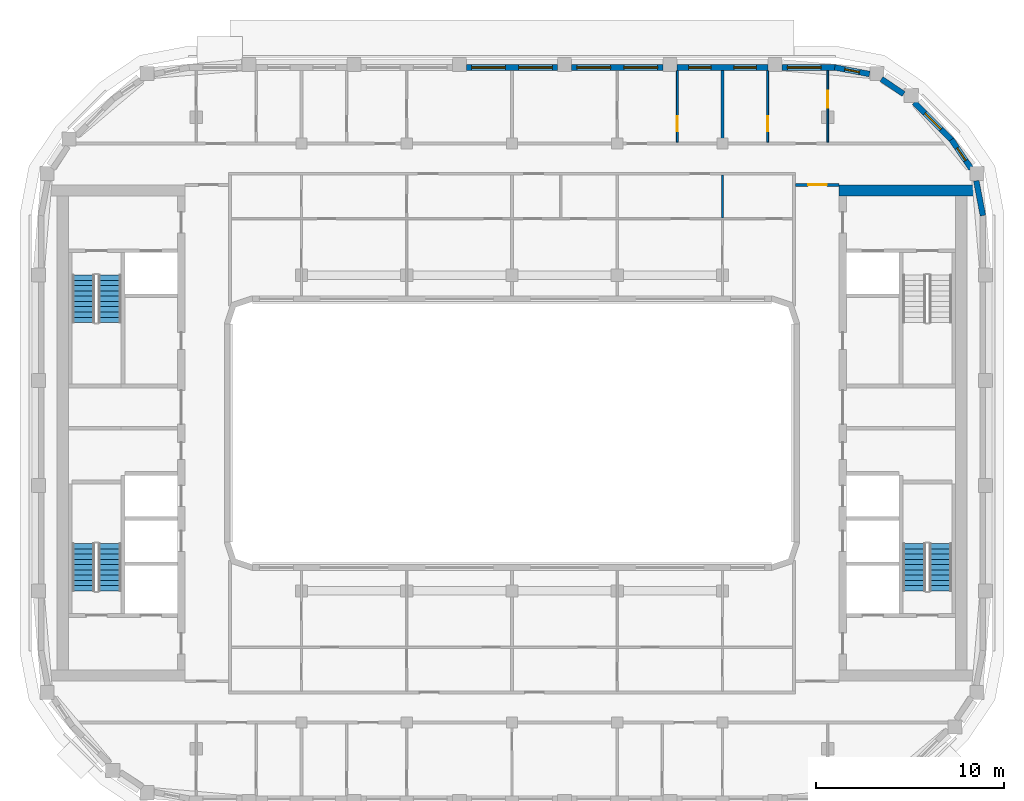
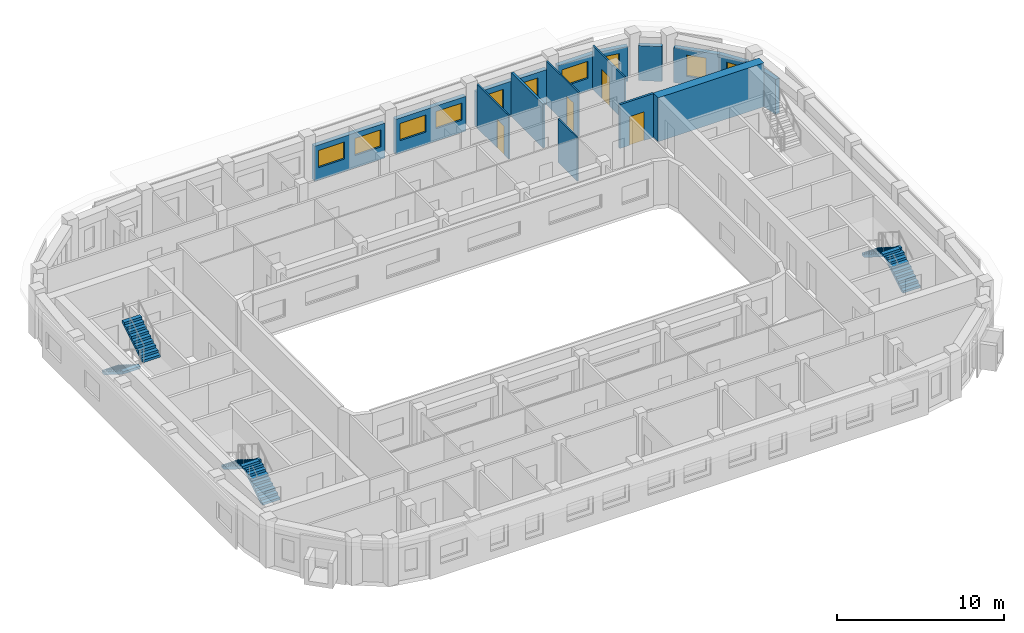
# One storey, part 8 of 16: 16 walls, 10 windows, 6 stair flights, 4 doors, 14 openings, 3 elements without a shape of their own.
"""IFC4 building model written with IfcOpenShell, lengths in metres."""

import ifcopenshell
import ifcopenshell.guid

model = None  # the IFC model being written
_history = None  # IfcOwnerHistory: only IFC2X3 demands one
_inside = {}  # id of a spatial element -> (the spatial element, [elements in it])
_under = {}  # id of a project, library or spatial element -> (it, [spatial elements below it])
_declared = {}  # id of a project -> (the project, [libraries it declares])
_typed = {}  # id of a type object -> (the type object, [elements of that type])
_made_of = {}  # id of a material, layer set ... -> (it, [elements and type objects made of it])


def new_model(schema):
    """Start an empty IFC model of exactly this schema.

    Asked for "IFC4X3", IfcOpenShell would pick the latest addendum, in which some entities
    have other attributes; the version numbers below select the first issue.
    IFC2X3 requires an IfcOwnerHistory on every rooted entity: one is made here for all.
    """
    global model, _history
    if schema == "IFC4X3":
        model = ifcopenshell.file(schema_version=(4, 3, 0, 0))
    else:
        model = ifcopenshell.file(schema=schema)
    _inside.clear()
    _under.clear()
    _declared.clear()
    _typed.clear()
    _made_of.clear()
    _history = None
    if model.schema == "IFC2X3":
        org = make("IfcOrganization", Name="unknown")
        user = make(
            "IfcPersonAndOrganization",
            ThePerson=make("IfcPerson", FamilyName="unknown"),
            TheOrganization=org,
        )
        app = make(
            "IfcApplication",
            ApplicationDeveloper=org,
            Version="unknown",
            ApplicationFullName="unknown",
            ApplicationIdentifier="unknown",
        )
        _history = make(
            "IfcOwnerHistory",
            OwningUser=user,
            OwningApplication=app,
            ChangeAction="ADDED",
            CreationDate=0,
        )
    return model


def make(cls, **values):
    """One entity of the class cls with the attributes given. An attribute that is None is left unset."""
    return model.create_entity(
        cls, **{name: value for name, value in values.items() if value is not None}
    )


def rooted(cls, **values):
    """An entity with a GlobalId (a new one), such as an element, a storey or a relation."""
    return make(cls, GlobalId=ifcopenshell.guid.new(), OwnerHistory=_history, **values)


def si_unit(unit_type, name, prefix=None):
    """IfcSIUnit, for example si_unit("LENGTHUNIT", "METRE", prefix="MILLI")."""
    return make("IfcSIUnit", UnitType=unit_type, Prefix=prefix, Name=name)


def assignment(units):
    """IfcUnitAssignment: the units of a project."""
    return None if units is None else make("IfcUnitAssignment", Units=units)


def point(xyz):
    """IfcCartesianPoint."""
    return None if xyz is None else make("IfcCartesianPoint", Coordinates=xyz)


def direction(xyz):
    """IfcDirection."""
    return None if xyz is None else make("IfcDirection", DirectionRatios=xyz)


def frame(location, z_axis=None, x_axis=None):
    """IfcAxis2Placement3D, a coordinate frame: its origin and axes. An axis left out is left unset."""
    return make(
        "IfcAxis2Placement3D",
        Location=point(location),
        Axis=direction(z_axis),
        RefDirection=direction(x_axis),
    )


def frame_2d(location, x_axis=None):
    """IfcAxis2Placement2D, a coordinate frame in the plane: its origin and x axis."""
    return make(
        "IfcAxis2Placement2D", Location=point(location), RefDirection=direction(x_axis)
    )


def origin():
    """The frame at (0, 0, 0) with its axes left unset."""
    return frame((0.0, 0.0, 0.0))


def place(relative_to, where):
    """IfcLocalPlacement: puts the frame where relative to a parent placement (None: the world)."""
    return make(
        "IfcLocalPlacement", PlacementRelTo=relative_to, RelativePlacement=where
    )


def context(
    kind, dimensions, precision=None, world=None, true_north=None, identifier=None
):
    """IfcGeometricRepresentationContext, for example the 3D "Model" context."""
    return make(
        "IfcGeometricRepresentationContext",
        ContextIdentifier=identifier,
        ContextType=kind,
        CoordinateSpaceDimension=dimensions,
        Precision=precision,
        WorldCoordinateSystem=world,
        TrueNorth=true_north,
    )


def subcontext(parent, identifier, kind, view, scale=None):
    """IfcGeometricRepresentationSubContext, for example "Body" below "Model"."""
    return make(
        "IfcGeometricRepresentationSubContext",
        ContextIdentifier=identifier,
        ContextType=kind,
        ParentContext=parent,
        TargetScale=scale,
        TargetView=view,
    )


def project(units=None, contexts=None):
    """IfcProject with its units and contexts."""
    return rooted(
        "IfcProject",
        Name="project",
        RepresentationContexts=contexts,
        UnitsInContext=assignment(units),
    )


def spatial(cls, under=None, at=None, **own):
    """A site, building, storey or space (cls), placed at a placement, below another one or the project."""
    s = rooted(cls, ObjectPlacement=at, **own)
    if under is not None:
        _under.setdefault(under.id(), (under, []))[1].append(s)
    return s


def polyline(points):
    """IfcPolyline through the points."""
    return make("IfcPolyline", Points=[point(p) for p in points])


def profile(cls, at=None, kind="AREA", **sizes):
    """A parametric profile (cls). Its sizes go by their IFC names, for example OverallWidth=200.0."""
    return make(cls, ProfileType=kind, Position=at, **sizes)


def rectangle(**sizes):
    """IfcRectangleProfileDef."""
    return profile("IfcRectangleProfileDef", **sizes)


def outline(outer, holes=None, kind="AREA"):
    """IfcArbitraryClosedProfileDef: a profile drawn as a closed curve; with holes, ...WithVoids."""
    if holes is None:
        return make("IfcArbitraryClosedProfileDef", ProfileType=kind, OuterCurve=outer)
    return make(
        "IfcArbitraryProfileDefWithVoids",
        ProfileType=kind,
        OuterCurve=outer,
        InnerCurves=holes,
    )


def extrude(swept, where, along, depth):
    """IfcExtrudedAreaSolid: the profile swept, set in the frame where, extruded along a direction by depth."""
    return make(
        "IfcExtrudedAreaSolid",
        SweptArea=swept,
        Position=where,
        ExtrudedDirection=direction(along),
        Depth=depth,
    )


def shape(context_of_items, identifier, shape_type, items):
    """IfcShapeRepresentation: the items that make up one representation, for example the "Body"."""
    return make(
        "IfcShapeRepresentation",
        ContextOfItems=context_of_items,
        RepresentationIdentifier=identifier,
        RepresentationType=shape_type,
        Items=items,
    )


def material(Name=None, Category=None):
    """IfcMaterial."""
    return make("IfcMaterial", Name=Name, Category=Category)


def layer(
    of_material, thickness, ventilated=None, Name=None, Category=None, Priority=None
):
    """IfcMaterialLayer: one layer of a wall or slab, of a material (None: an air gap)."""
    return make(
        "IfcMaterialLayer",
        Material=of_material,
        LayerThickness=thickness,
        IsVentilated=ventilated,
        Name=Name,
        Category=Category,
        Priority=Priority,
    )


def layer_set(layers, Name=None):
    """IfcMaterialLayerSet."""
    return make("IfcMaterialLayerSet", MaterialLayers=layers, LayerSetName=Name)


def made_of(thing, what):
    """Note that an element or type object is made of a material, layer set ...; save() writes the relation."""
    if what is not None:
        _made_of.setdefault(what.id(), (what, []))[1].append(thing)
    return thing


def type_object(cls, material=None, **own):
    """A type object (cls), such as IfcWallType, which elements share."""
    return made_of(rooted(cls, **own), material)


def element(
    cls,
    number,
    at=None,
    inside=None,
    cuts=None,
    type_object=None,
    material=None,
    context=None,
    identifier="Body",
    shape_type=None,
    held_by="IfcProductDefinitionShape",
    body=None,
    shapes=None,
    **own,
):
    """One element of the class cls, such as IfcWall. Its Tag is "e" and its number.

    at: its placement. inside: the storey or other place that contains it. cuts: it is an
    opening in that element (IfcRelVoidsElement). A single representation is given by context,
    identifier, shape_type and body (its items); several are given by shapes. held_by: the class
    of the entity that holds the representations. save() writes the other relations.
    """
    e = rooted(cls, Tag="e%d" % number, ObjectPlacement=at, **own)
    if body is not None:
        shapes = [shape(context, identifier, shape_type, body)]
    if shapes is not None:
        e.Representation = make(held_by, Representations=shapes)
    if inside is not None:
        _inside.setdefault(inside.id(), (inside, []))[1].append(e)
    if cuts is not None:
        rooted(
            "IfcRelVoidsElement", RelatingBuildingElement=cuts, RelatedOpeningElement=e
        )
    if type_object is not None:
        _typed.setdefault(type_object.id(), (type_object, []))[1].append(e)
    return made_of(e, material)


def fill(opening, filler):
    """IfcRelFillsElement: the door or window that sits in an opening."""
    return rooted(
        "IfcRelFillsElement",
        RelatingOpeningElement=opening,
        RelatedBuildingElement=filler,
    )


def aggregate(whole, parts):
    """IfcRelAggregates: a whole, such as a stair, and the parts it consists of."""
    return rooted("IfcRelAggregates", RelatingObject=whole, RelatedObjects=parts)


def save(model, path):
    """Write the relations noted so far, then the file.

    IfcRelAggregates (storeys below a building ...), IfcRelContainedInSpatialStructure (elements
    in a storey), IfcRelDefinesByType, IfcRelAssociatesMaterial and IfcRelDeclares: one each for
    every whole, place, type object, material and project.
    """
    for whole, parts in _under.values():
        aggregate(whole, parts)
    for where, things in _inside.values():
        rooted(
            "IfcRelContainedInSpatialStructure",
            RelatedElements=things,
            RelatingStructure=where,
        )
    for kind, things in _typed.values():
        rooted("IfcRelDefinesByType", RelatedObjects=things, RelatingType=kind)
    for what, things in _made_of.values():
        rooted("IfcRelAssociatesMaterial", RelatedObjects=things, RelatingMaterial=what)
    for by, libraries in _declared.values():
        rooted("IfcRelDeclares", RelatingContext=by, RelatedDefinitions=libraries)
    model.write(path)


model = new_model("IFC4")

# Units and contexts
model_context = context("Model", 3, precision=1e-05, world=origin(), true_north=direction((0.0, 1.0)))
body_context = subcontext(model_context, "Body", "Model", "MODEL_VIEW")
ifc_project = project(units=[si_unit("LENGTHUNIT", "METRE"), si_unit("AREAUNIT", "SQUARE_METRE"), si_unit("VOLUMEUNIT", "CUBIC_METRE"), si_unit("PLANEANGLEUNIT", "RADIAN"), si_unit("MASSUNIT", "GRAM", prefix="KILO")], contexts=[model_context])

# Site, building, storey
site_placement = place(None, origin())
site = spatial("IfcSite", under=ifc_project, at=site_placement, CompositionType="ELEMENT")
building_placement = place(site_placement, origin())
building = spatial("IfcBuilding", under=site, at=building_placement, Name="Kiln Ring Residences", CompositionType="ELEMENT")
storey_placement = place(building_placement, frame((0.0, 0.0, 269.699951171875)))
storey = spatial("IfcBuildingStorey", under=building, at=storey_placement, Name="L70", CompositionType="ELEMENT", Elevation=269.699951171875)

# Walls
ifc_material_1 = material(Name="Concrete C60/75", Category="concrete")
ifc_layer_1 = layer(ifc_material_1, 0.60009765625)
ifc_layer_set_1 = layer_set([ifc_layer_1], Name="CORE-WALL-RC600")
wall_type_1 = type_object("IfcWallType", Name="CORE-WALL-RC600", PredefinedType="SHEAR", material=ifc_layer_set_1)
wall_1_placement = place(storey_placement, frame((17.39990234375, 12.89990234375, 0.0), z_axis=(0.0, 0.0, 1.0), x_axis=(1.0, 0.0, 0.0)))
element("IfcWall", 1, at=wall_1_placement, inside=storey, type_object=wall_type_1, Name="Core wall east L70 4", PredefinedType="SHEAR", context=body_context, shape_type="SweptSolid", body=[
    extrude(rectangle(XDim=7.320068359375, YDim=0.60009765625, at=frame_2d((3.66015625, 0.0))), origin(), (0.0, 0.0, 1.0), 3.199951171875),
])
ifc_material_2 = material(Name="Brick masonry, dark clay brick", Category="masonry")
ifc_layer_2 = layer(ifc_material_2, 0.300048828125)
ifc_layer_set_2 = layer_set([ifc_layer_2], Name="EW-300 BRICK WALL")
wall_type_2 = type_object("IfcWallType", Name="EW-300 BRICK WALL", PredefinedType="SOLIDWALL", material=ifc_layer_set_2)
wall_2_placement = place(storey_placement, frame((25.052734375, 11.57177734375, 0.0), z_axis=(0.0, 0.0, 1.0), x_axis=(-0.187398348234, 0.982284001233, 0.0)))
element("IfcWall", 2, at=wall_2_placement, inside=storey, type_object=wall_type_2, Name="Facade wall L70 21", PredefinedType="SOLIDWALL", context=body_context, shape_type="SweptSolid", body=[
    extrude(rectangle(XDim=1.88134765625, YDim=0.300048828125, at=frame_2d((0.940673828125, 0.0))), origin(), (0.0, 0.0, 1.0), 2.550048828125),
])

# Wall, opening, window
wall_3_placement = place(storey_placement, frame((24.436279296875, 14.056884765625, 0.0), z_axis=(0.0, 0.0, 1.0), x_axis=(-0.562075713892, 0.827085782645, 0.0)))
wall_3 = element("IfcWall", 3, at=wall_3_placement, inside=storey, type_object=wall_type_2, Name="Facade wall L70 22", PredefinedType="SOLIDWALL", context=body_context, shape_type="SweptSolid", body=[
    extrude(rectangle(XDim=1.881103515625, YDim=0.300048828125, at=frame_2d((0.9404296875, 0.0))), origin(), (0.0, 0.0, 1.0), 2.550048828125),
])
opening_1_placement = place(wall_3_placement, frame((0.54052734375, 0.0, 0.60009765625)))
opening_1 = element("IfcOpeningElement", 4, at=opening_1_placement, cuts=wall_3, Name="Opening W5", PredefinedType="OPENING", context=body_context, shape_type="SweptSolid", body=[
    extrude(rectangle(XDim=0.800048828125, YDim=1.550048828125, at=frame_2d((0.39990234375, 0.77490234375))), frame((0.0, 0.159912109375, 0.0), z_axis=(0.0, -1.0, 0.0), x_axis=(1.0, 0.0, 0.0)), (0.0, 0.0, 1.0), 0.320068359375),
])
ifc_material_3 = material(Name="Aluminium frame with double glazing", Category="aluminium")
window_type_1 = type_object("IfcWindowType", Name="WINDOW 800 x 1550", PartitioningType="SINGLE_PANEL", PredefinedType="WINDOW", material=ifc_material_3)
window_1_placement = place(opening_1_placement, origin())
window_1 = element("IfcWindow", 5, at=window_1_placement, inside=storey, type_object=window_type_1, Name="Window L70 18", OverallHeight=1.550048828125, OverallWidth=0.800048828125, PartitioningType="SINGLE_PANEL", PredefinedType="WINDOW", context=body_context, shape_type="SweptSolid", body=[
    extrude(rectangle(XDim=0.800048828125, YDim=1.550048828125, at=frame_2d((0.39990234375, 0.77490234375))), frame((0.0, 0.030029296875, 0.0), z_axis=(0.0, -1.0, 0.0), x_axis=(1.0, 0.0, 0.0)), (0.0, 0.0, 1.0), 0.06005859375),
])
fill(opening_1, window_1)

wall_4_placement = place(storey_placement, frame((23.39697265625, 15.591064453125, 0.0), z_axis=(0.0, 0.0, 1.0), x_axis=(-0.707106781187, 0.707106781187, 0.0)))
wall_4 = element("IfcWall", 6, at=wall_4_placement, inside=storey, type_object=wall_type_2, Name="Facade wall L70 23", PredefinedType="SOLIDWALL", context=body_context, shape_type="SweptSolid", body=[
    extrude(rectangle(XDim=2.824951171875, YDim=0.300048828125, at=frame_2d((1.41259765625, 0.0))), origin(), (0.0, 0.0, 1.0), 2.550048828125),
])
opening_2_placement = place(wall_4_placement, frame((0.8125, 0.0, 0.60009765625)))
opening_2 = element("IfcOpeningElement", 7, at=opening_2_placement, cuts=wall_4, Name="Opening W1", PredefinedType="OPENING", context=body_context, shape_type="SweptSolid", body=[
    extrude(rectangle(XDim=1.199951171875, YDim=1.550048828125, at=frame_2d((0.60009765625, 0.77490234375))), frame((0.0, 0.159912109375, 0.0), z_axis=(0.0, -1.0, 0.0), x_axis=(1.0, 0.0, 0.0)), (0.0, 0.0, 1.0), 0.320068359375),
])
ifc_material_4 = material(Name="Aluminium frame with double glazing", Category="aluminium")
window_type_2 = type_object("IfcWindowType", Name="WINDOW 1200 x 1550", PartitioningType="SINGLE_PANEL", PredefinedType="WINDOW", material=ifc_material_4)
window_2_placement = place(opening_2_placement, origin())
window_2 = element("IfcWindow", 8, at=window_2_placement, inside=storey, type_object=window_type_2, Name="Window L70 19", OverallHeight=1.550048828125, OverallWidth=1.199951171875, PartitioningType="SINGLE_PANEL", PredefinedType="WINDOW", context=body_context, shape_type="SweptSolid", body=[
    extrude(rectangle(XDim=1.199951171875, YDim=1.550048828125, at=frame_2d((0.60009765625, 0.77490234375))), frame((0.0, 0.030029296875, 0.0), z_axis=(0.0, -1.0, 0.0), x_axis=(1.0, 0.0, 0.0)), (0.0, 0.0, 1.0), 0.06005859375),
])
fill(opening_2, window_2)

# Wall
wall_5_placement = place(storey_placement, frame((20.837158203125, 18.0341796875, 0.0), z_axis=(0.0, 0.0, 1.0), x_axis=(-0.827095130818, 0.562061957952, 0.0)))
element("IfcWall", 9, at=wall_5_placement, inside=storey, type_object=wall_type_2, Name="Facade wall L70 24", PredefinedType="SOLIDWALL", context=body_context, shape_type="SweptSolid", body=[
    extrude(rectangle(XDim=1.427001953125, YDim=0.300048828125, at=frame_2d((0.71337890625, 0.0))), origin(), (0.0, 0.0, 1.0), 2.550048828125),
])

# Wall, opening, window
wall_6_placement = place(storey_placement, frame((19.019775390625, 19.10009765625, 0.0), z_axis=(0.0, 0.0, 1.0), x_axis=(-0.982284001233, 0.187398348234, 0.0)))
wall_6 = element("IfcWall", 10, at=wall_6_placement, inside=storey, type_object=wall_type_2, Name="Facade wall L70 25", PredefinedType="SOLIDWALL", context=body_context, shape_type="SweptSolid", body=[
    extrude(rectangle(XDim=1.88134765625, YDim=0.300048828125, at=frame_2d((0.940673828125, 0.0))), origin(), (0.0, 0.0, 1.0), 2.550048828125),
])
opening_3_placement = place(wall_6_placement, frame((0.54052734375, 0.0, 0.60009765625)))
opening_3 = element("IfcOpeningElement", 11, at=opening_3_placement, cuts=wall_6, Name="Opening W5", PredefinedType="OPENING", context=body_context, shape_type="SweptSolid", body=[
    extrude(rectangle(XDim=0.800048828125, YDim=1.550048828125, at=frame_2d((0.39990234375, 0.77490234375))), frame((0.0, 0.159912109375, 0.0), z_axis=(0.0, -1.0, 0.0), x_axis=(1.0, 0.0, 0.0)), (0.0, 0.0, 1.0), 0.320068359375),
])
window_3_placement = place(opening_3_placement, origin())
window_3 = element("IfcWindow", 12, at=window_3_placement, inside=storey, type_object=window_type_1, Name="Window L70 20", OverallHeight=1.550048828125, OverallWidth=0.800048828125, PartitioningType="SINGLE_PANEL", PredefinedType="WINDOW", context=body_context, shape_type="SweptSolid", body=[
    extrude(rectangle(XDim=0.800048828125, YDim=1.550048828125, at=frame_2d((0.39990234375, 0.77490234375))), frame((0.0, 0.030029296875, 0.0), z_axis=(0.0, -1.0, 0.0), x_axis=(1.0, 0.0, 0.0)), (0.0, 0.0, 1.0), 0.06005859375),
])
fill(opening_3, window_3)

wall_7_placement = place(storey_placement, frame((17.199951171875, 19.449951171875, 0.0), z_axis=(0.0, 0.0, 1.0), x_axis=(-1.0, 0.0, 0.0)))
wall_7 = element("IfcWall", 13, at=wall_7_placement, inside=storey, type_object=wall_type_2, Name="Facade wall L70 26", PredefinedType="SOLIDWALL", context=body_context, shape_type="SweptSolid", body=[
    extrude(rectangle(XDim=2.824951171875, YDim=0.300048828125, at=frame_2d((1.41259765625, 0.0))), origin(), (0.0, 0.0, 1.0), 2.550048828125),
])
opening_4_placement = place(wall_7_placement, frame((0.75, 0.0, 0.89990234375)))
opening_4 = element("IfcOpeningElement", 14, at=opening_4_placement, cuts=wall_7, Name="Opening W2", PredefinedType="OPENING", context=body_context, shape_type="SweptSolid", body=[
    extrude(rectangle(XDim=1.800048828125, YDim=1.25, at=frame_2d((0.89990234375, 0.625))), frame((0.0, 0.159912109375, 0.0), z_axis=(0.0, -1.0, 0.0), x_axis=(1.0, 0.0, 0.0)), (0.0, 0.0, 1.0), 0.320068359375),
])
ifc_material_5 = material(Name="Aluminium frame with double glazing", Category="aluminium")
window_type_3 = type_object("IfcWindowType", Name="WINDOW 1800 x 1250", PartitioningType="SINGLE_PANEL", PredefinedType="WINDOW", material=ifc_material_5)
window_4_placement = place(opening_4_placement, origin())
window_4 = element("IfcWindow", 15, at=window_4_placement, inside=storey, type_object=window_type_3, Name="Window L70 21", OverallHeight=1.25, OverallWidth=1.800048828125, PartitioningType="SINGLE_PANEL", PredefinedType="WINDOW", context=body_context, shape_type="SweptSolid", body=[
    extrude(rectangle(XDim=1.800048828125, YDim=1.25, at=frame_2d((0.89990234375, 0.625))), frame((0.0, 0.030029296875, 0.0), z_axis=(0.0, -1.0, 0.0), x_axis=(1.0, 0.0, 0.0)), (0.0, 0.0, 1.0), 0.06005859375),
])
fill(opening_4, window_4)

# Wall, openings, windows
wall_8_placement = place(storey_placement, frame((13.625, 19.449951171875, 0.0), z_axis=(0.0, 0.0, 1.0), x_axis=(-1.0, 0.0, 0.0)))
wall_8 = element("IfcWall", 16, at=wall_8_placement, inside=storey, type_object=wall_type_2, Name="Facade wall L70 27", PredefinedType="SOLIDWALL", context=body_context, shape_type="SweptSolid", body=[
    extrude(rectangle(XDim=4.85009765625, YDim=0.300048828125, at=frame_2d((2.425048828125, 0.0))), origin(), (0.0, 0.0, 1.0), 2.550048828125),
])
opening_5_placement = place(wall_8_placement, frame((0.625, 0.0, 0.60009765625)))
opening_5 = element("IfcOpeningElement", 17, at=opening_5_placement, cuts=wall_8, Name="Opening W1", PredefinedType="OPENING", context=body_context, shape_type="SweptSolid", body=[
    extrude(rectangle(XDim=1.199951171875, YDim=1.550048828125, at=frame_2d((0.60009765625, 0.77490234375))), frame((0.0, 0.159912109375, 0.0), z_axis=(0.0, -1.0, 0.0), x_axis=(1.0, 0.0, 0.0)), (0.0, 0.0, 1.0), 0.320068359375),
])
opening_6_placement = place(wall_8_placement, frame((3.02490234375, 0.0, 0.60009765625)))
opening_6 = element("IfcOpeningElement", 18, at=opening_6_placement, cuts=wall_8, Name="Opening W1", PredefinedType="OPENING", context=body_context, shape_type="SweptSolid", body=[
    extrude(rectangle(XDim=1.199951171875, YDim=1.550048828125, at=frame_2d((0.60009765625, 0.77490234375))), frame((0.0, 0.159912109375, 0.0), z_axis=(0.0, -1.0, 0.0), x_axis=(1.0, 0.0, 0.0)), (0.0, 0.0, 1.0), 0.320068359375),
])
window_5_placement = place(opening_5_placement, origin())
window_5 = element("IfcWindow", 19, at=window_5_placement, inside=storey, type_object=window_type_2, Name="Window L70 22", OverallHeight=1.550048828125, OverallWidth=1.199951171875, PartitioningType="SINGLE_PANEL", PredefinedType="WINDOW", context=body_context, shape_type="SweptSolid", body=[
    extrude(rectangle(XDim=1.199951171875, YDim=1.550048828125, at=frame_2d((0.60009765625, 0.77490234375))), frame((0.0, 0.030029296875, 0.0), z_axis=(0.0, -1.0, 0.0), x_axis=(1.0, 0.0, 0.0)), (0.0, 0.0, 1.0), 0.06005859375),
])
fill(opening_5, window_5)
window_6_placement = place(opening_6_placement, origin())
window_6 = element("IfcWindow", 20, at=window_6_placement, inside=storey, type_object=window_type_2, Name="Window L70 23", OverallHeight=1.550048828125, OverallWidth=1.199951171875, PartitioningType="SINGLE_PANEL", PredefinedType="WINDOW", context=body_context, shape_type="SweptSolid", body=[
    extrude(rectangle(XDim=1.199951171875, YDim=1.550048828125, at=frame_2d((0.60009765625, 0.77490234375))), frame((0.0, 0.030029296875, 0.0), z_axis=(0.0, -1.0, 0.0), x_axis=(1.0, 0.0, 0.0)), (0.0, 0.0, 1.0), 0.06005859375),
])
fill(opening_6, window_6)

wall_9_placement = place(storey_placement, frame((8.02490234375, 19.449951171875, 0.0), z_axis=(0.0, 0.0, 1.0), x_axis=(-1.0, 0.0, 0.0)))
wall_9 = element("IfcWall", 21, at=wall_9_placement, inside=storey, type_object=wall_type_2, Name="Facade wall L70 28", PredefinedType="SOLIDWALL", context=body_context, shape_type="SweptSolid", body=[
    extrude(rectangle(XDim=4.849853515625, YDim=0.300048828125, at=frame_2d((2.4248046875, 0.0))), origin(), (0.0, 0.0, 1.0), 2.550048828125),
])
opening_7_placement = place(wall_9_placement, frame((0.27490234375, 0.0, 0.89990234375)))
opening_7 = element("IfcOpeningElement", 22, at=opening_7_placement, cuts=wall_9, Name="Opening W2", PredefinedType="OPENING", context=body_context, shape_type="SweptSolid", body=[
    extrude(rectangle(XDim=1.800048828125, YDim=1.25, at=frame_2d((0.89990234375, 0.625))), frame((0.0, 0.159912109375, 0.0), z_axis=(0.0, -1.0, 0.0), x_axis=(1.0, 0.0, 0.0)), (0.0, 0.0, 1.0), 0.320068359375),
])
opening_8_placement = place(wall_9_placement, frame((2.77490234375, 0.0, 0.89990234375)))
opening_8 = element("IfcOpeningElement", 23, at=opening_8_placement, cuts=wall_9, Name="Opening W2", PredefinedType="OPENING", context=body_context, shape_type="SweptSolid", body=[
    extrude(rectangle(XDim=1.800048828125, YDim=1.25, at=frame_2d((0.89990234375, 0.625))), frame((0.0, 0.159912109375, 0.0), z_axis=(0.0, -1.0, 0.0), x_axis=(1.0, 0.0, 0.0)), (0.0, 0.0, 1.0), 0.320068359375),
])
window_7_placement = place(opening_7_placement, origin())
window_7 = element("IfcWindow", 24, at=window_7_placement, inside=storey, type_object=window_type_3, Name="Window L70 24", OverallHeight=1.25, OverallWidth=1.800048828125, PartitioningType="SINGLE_PANEL", PredefinedType="WINDOW", context=body_context, shape_type="SweptSolid", body=[
    extrude(rectangle(XDim=1.800048828125, YDim=1.25, at=frame_2d((0.89990234375, 0.625))), frame((0.0, 0.030029296875, 0.0), z_axis=(0.0, -1.0, 0.0), x_axis=(1.0, 0.0, 0.0)), (0.0, 0.0, 1.0), 0.06005859375),
])
fill(opening_7, window_7)
window_8_placement = place(opening_8_placement, origin())
window_8 = element("IfcWindow", 25, at=window_8_placement, inside=storey, type_object=window_type_3, Name="Window L70 25", OverallHeight=1.25, OverallWidth=1.800048828125, PartitioningType="SINGLE_PANEL", PredefinedType="WINDOW", context=body_context, shape_type="SweptSolid", body=[
    extrude(rectangle(XDim=1.800048828125, YDim=1.25, at=frame_2d((0.89990234375, 0.625))), frame((0.0, 0.030029296875, 0.0), z_axis=(0.0, -1.0, 0.0), x_axis=(1.0, 0.0, 0.0)), (0.0, 0.0, 1.0), 0.06005859375),
])
fill(opening_8, window_8)

wall_10_placement = place(storey_placement, frame((2.425048828125, 19.449951171875, 0.0), z_axis=(0.0, 0.0, 1.0), x_axis=(-1.0, 0.0, 0.0)))
wall_10 = element("IfcWall", 26, at=wall_10_placement, inside=storey, type_object=wall_type_2, Name="Facade wall L70 29", PredefinedType="SOLIDWALL", context=body_context, shape_type="SweptSolid", body=[
    extrude(rectangle(XDim=4.85009765625, YDim=0.300048828125, at=frame_2d((2.425048828125, 0.0))), origin(), (0.0, 0.0, 1.0), 2.550048828125),
])
opening_9_placement = place(wall_10_placement, frame((0.27490234375, 0.0, 0.89990234375)))
opening_9 = element("IfcOpeningElement", 27, at=opening_9_placement, cuts=wall_10, Name="Opening W2", PredefinedType="OPENING", context=body_context, shape_type="SweptSolid", body=[
    extrude(rectangle(XDim=1.800048828125, YDim=1.25, at=frame_2d((0.89990234375, 0.625))), frame((0.0, 0.159912109375, 0.0), z_axis=(0.0, -1.0, 0.0), x_axis=(1.0, 0.0, 0.0)), (0.0, 0.0, 1.0), 0.320068359375),
])
opening_10_placement = place(wall_10_placement, frame((2.77490234375, 0.0, 0.89990234375)))
opening_10 = element("IfcOpeningElement", 28, at=opening_10_placement, cuts=wall_10, Name="Opening W2", PredefinedType="OPENING", context=body_context, shape_type="SweptSolid", body=[
    extrude(rectangle(XDim=1.800048828125, YDim=1.25, at=frame_2d((0.89990234375, 0.625))), frame((0.0, 0.159912109375, 0.0), z_axis=(0.0, -1.0, 0.0), x_axis=(1.0, 0.0, 0.0)), (0.0, 0.0, 1.0), 0.320068359375),
])
window_9_placement = place(opening_9_placement, origin())
window_9 = element("IfcWindow", 29, at=window_9_placement, inside=storey, type_object=window_type_3, Name="Window L70 26", OverallHeight=1.25, OverallWidth=1.800048828125, PartitioningType="SINGLE_PANEL", PredefinedType="WINDOW", context=body_context, shape_type="SweptSolid", body=[
    extrude(rectangle(XDim=1.800048828125, YDim=1.25, at=frame_2d((0.89990234375, 0.625))), frame((0.0, 0.030029296875, 0.0), z_axis=(0.0, -1.0, 0.0), x_axis=(1.0, 0.0, 0.0)), (0.0, 0.0, 1.0), 0.06005859375),
])
fill(opening_9, window_9)
window_10_placement = place(opening_10_placement, origin())
window_10 = element("IfcWindow", 30, at=window_10_placement, inside=storey, type_object=window_type_3, Name="Window L70 27", OverallHeight=1.25, OverallWidth=1.800048828125, PartitioningType="SINGLE_PANEL", PredefinedType="WINDOW", context=body_context, shape_type="SweptSolid", body=[
    extrude(rectangle(XDim=1.800048828125, YDim=1.25, at=frame_2d((0.89990234375, 0.625))), frame((0.0, 0.030029296875, 0.0), z_axis=(0.0, -1.0, 0.0), x_axis=(1.0, 0.0, 0.0)), (0.0, 0.0, 1.0), 0.06005859375),
])
fill(opening_10, window_10)

# Wall, opening, door
ifc_material_6 = material(Name="Gypsum board on steel studs", Category="steel")
ifc_layer_3 = layer(ifc_material_6, 0.10009765625)
ifc_layer_set_3 = layer_set([ifc_layer_3], Name="PARTITION-100")
wall_type_3 = type_object("IfcWallType", Name="PARTITION-100", PredefinedType="PARTITIONING", material=ifc_layer_set_3)
wall_11_placement = place(storey_placement, frame((8.800048828125, 15.47509765625, 0.0), z_axis=(0.0, 0.0, 1.0), x_axis=(0.0, 1.0, 0.0)))
wall_11 = element("IfcWall", 31, at=wall_11_placement, inside=storey, type_object=wall_type_3, Name="Partition 044", PredefinedType="PARTITIONING", context=body_context, shape_type="SweptSolid", body=[
    extrude(rectangle(XDim=3.804931640625, YDim=0.10009765625, at=frame_2d((1.90234375, 0.0))), origin(), (0.0, 0.0, 1.0), 3.199951171875),
])
opening_11_placement = place(wall_11_placement, frame((0.575927734375, 0.0, 0.0)))
opening_11 = element("IfcOpeningElement", 32, at=opening_11_placement, cuts=wall_11, Name="Opening L70-D025", PredefinedType="OPENING", context=body_context, shape_type="SweptSolid", body=[
    extrude(rectangle(XDim=0.800048828125, YDim=2.10009765625, at=frame_2d((0.39990234375, 1.050048828125))), frame((0.0, 0.06005859375, 0.0), z_axis=(0.0, -1.0, 0.0), x_axis=(1.0, 0.0, 0.0)), (0.0, 0.0, 1.0), 0.1201171875),
])
ifc_material_7 = material(Name="Timber door leaf", Category="wood")
door_type_1 = type_object("IfcDoorType", Name="FLAT-DOOR-800-PL", OperationType="SINGLE_SWING_LEFT", PredefinedType="DOOR", material=ifc_material_7)
door_1_placement = place(opening_11_placement, origin())
door_1 = element("IfcDoor", 33, at=door_1_placement, inside=storey, type_object=door_type_1, Name="Door L70-D025", OperationType="SINGLE_SWING_LEFT", OverallHeight=2.10009765625, OverallWidth=0.800048828125, PredefinedType="DOOR", context=body_context, shape_type="SweptSolid", body=[
    extrude(rectangle(XDim=0.800048828125, YDim=2.10009765625, at=frame_2d((0.39990234375, 1.050048828125))), frame((0.0, 0.02490234375, 0.0), z_axis=(0.0, -1.0, 0.0), x_axis=(1.0, 0.0, 0.0)), (0.0, 0.0, 1.0), 0.050048828125),
])
fill(opening_11, door_1)

# Wall
wall_12_placement = place(storey_placement, frame((11.199951171875, 11.449951171875, 0.0), z_axis=(0.0, 0.0, 1.0), x_axis=(0.0, 1.0, 0.0)))
element("IfcWall", 34, at=wall_12_placement, inside=storey, type_object=wall_type_3, Name="Partition 049", PredefinedType="PARTITIONING", context=body_context, shape_type="SweptSolid", body=[
    extrude(rectangle(XDim=2.275146484375, YDim=0.10009765625, at=frame_2d((1.1376953125, 0.0))), origin(), (0.0, 0.0, 1.0), 3.199951171875),
])

# Wall, opening, door
wall_13_placement = place(storey_placement, frame((13.60009765625, 15.47509765625, 0.0), z_axis=(0.0, 0.0, 1.0), x_axis=(0.0, 1.0, 0.0)))
wall_13 = element("IfcWall", 35, at=wall_13_placement, inside=storey, type_object=wall_type_3, Name="Partition 051", PredefinedType="PARTITIONING", context=body_context, shape_type="SweptSolid", body=[
    extrude(rectangle(XDim=3.804931640625, YDim=0.10009765625, at=frame_2d((1.90234375, 0.0))), origin(), (0.0, 0.0, 1.0), 3.199951171875),
])
opening_12_placement = place(wall_13_placement, frame((0.5849609375, 0.0, 0.0)))
opening_12 = element("IfcOpeningElement", 36, at=opening_12_placement, cuts=wall_13, Name="Opening L70-D028", PredefinedType="OPENING", context=body_context, shape_type="SweptSolid", body=[
    extrude(rectangle(XDim=0.800048828125, YDim=2.10009765625, at=frame_2d((0.39990234375, 1.050048828125))), frame((0.0, 0.06005859375, 0.0), z_axis=(0.0, -1.0, 0.0), x_axis=(1.0, 0.0, 0.0)), (0.0, 0.0, 1.0), 0.1201171875),
])
door_2_placement = place(opening_12_placement, origin())
door_2 = element("IfcDoor", 37, at=door_2_placement, inside=storey, type_object=door_type_1, Name="Door L70-D028", OperationType="SINGLE_SWING_RIGHT", OverallHeight=2.10009765625, OverallWidth=0.800048828125, PredefinedType="DOOR", context=body_context, shape_type="SweptSolid", body=[
    extrude(rectangle(XDim=0.800048828125, YDim=2.10009765625, at=frame_2d((0.39990234375, 1.050048828125))), frame((0.0, 0.02490234375, 0.0), z_axis=(0.0, -1.0, 0.0), x_axis=(1.0, 0.0, 0.0)), (0.0, 0.0, 1.0), 0.050048828125),
])
fill(opening_12, door_2)

wall_14_placement = place(storey_placement, frame((16.800048828125, 15.47509765625, 0.0), z_axis=(0.0, 0.0, 1.0), x_axis=(0.0, 1.0, 0.0)))
wall_14 = element("IfcWall", 38, at=wall_14_placement, inside=storey, type_object=wall_type_3, Name="Partition 055", PredefinedType="PARTITIONING", context=body_context, shape_type="SweptSolid", body=[
    extrude(rectangle(XDim=3.804931640625, YDim=0.10009765625, at=frame_2d((1.90234375, 0.0))), origin(), (0.0, 0.0, 1.0), 3.199951171875),
])
opening_13_placement = place(wall_14_placement, frame((1.825927734375, 0.0, 0.0)))
opening_13 = element("IfcOpeningElement", 39, at=opening_13_placement, cuts=wall_14, Name="Opening L70-D029", PredefinedType="OPENING", context=body_context, shape_type="SweptSolid", body=[
    extrude(rectangle(XDim=0.89990234375, YDim=2.10009765625, at=frame_2d((0.449951171875, 1.050048828125))), frame((0.0, 0.06005859375, 0.0), z_axis=(0.0, -1.0, 0.0), x_axis=(1.0, 0.0, 0.0)), (0.0, 0.0, 1.0), 0.1201171875),
])
ifc_material_8 = material(Name="Timber door leaf", Category="wood")
door_type_2 = type_object("IfcDoorType", Name="FLAT-DOOR-900-PL", OperationType="SINGLE_SWING_LEFT", PredefinedType="DOOR", material=ifc_material_8)
door_3_placement = place(opening_13_placement, origin())
door_3 = element("IfcDoor", 40, at=door_3_placement, inside=storey, type_object=door_type_2, Name="Door L70-D029", OperationType="SINGLE_SWING_RIGHT", OverallHeight=2.10009765625, OverallWidth=0.89990234375, PredefinedType="DOOR", context=body_context, shape_type="SweptSolid", body=[
    extrude(rectangle(XDim=0.89990234375, YDim=2.10009765625, at=frame_2d((0.449951171875, 1.050048828125))), frame((0.0, 0.02490234375, 0.0), z_axis=(0.0, -1.0, 0.0), x_axis=(1.0, 0.0, 0.0)), (0.0, 0.0, 1.0), 0.050048828125),
])
fill(opening_13, door_3)

ifc_material_9 = material(Name="Brick masonry partition", Category="masonry")
ifc_layer_4 = layer(ifc_material_9, 0.14990234375)
ifc_layer_set_4 = layer_set([ifc_layer_4], Name="PARTITION-150-ei60")
wall_type_4 = type_object("IfcWallType", Name="PARTITION-150-ei60", PredefinedType="PARTITIONING", material=ifc_layer_set_4)
wall_15_placement = place(storey_placement, frame((15.074951171875, 13.199951171875, 0.0), z_axis=(0.0, 0.0, 1.0), x_axis=(1.0, 0.0, 0.0)))
wall_15 = element("IfcWall", 41, at=wall_15_placement, inside=storey, type_object=wall_type_4, Name="Partition 007", PredefinedType="PARTITIONING", context=body_context, shape_type="SweptSolid", body=[
    extrude(rectangle(XDim=2.324951171875, YDim=0.14990234375, at=frame_2d((1.16259765625, 0.0))), origin(), (0.0, 0.0, 1.0), 3.199951171875),
])
opening_14_placement = place(wall_15_placement, frame((0.675048828125, 0.0, 0.0)))
opening_14 = element("IfcOpeningElement", 42, at=opening_14_placement, cuts=wall_15, Name="Opening L70-D002", PredefinedType="OPENING", context=body_context, shape_type="SweptSolid", body=[
    extrude(rectangle(XDim=1.0, YDim=2.10009765625, at=frame_2d((0.5, 1.050048828125))), frame((0.0, 0.0849609375, 0.0), z_axis=(0.0, -1.0, 0.0), x_axis=(1.0, 0.0, 0.0)), (0.0, 0.0, 1.0), 0.169921875),
])
ifc_material_10 = material(Name="Steel faced fire door leaf", Category="steel")
door_type_3 = type_object("IfcDoorType", Name="FLAT-DOOR-1000-FR", OperationType="SINGLE_SWING_LEFT", PredefinedType="DOOR", material=ifc_material_10)
door_4_placement = place(opening_14_placement, origin())
door_4 = element("IfcDoor", 43, at=door_4_placement, inside=storey, type_object=door_type_3, Name="Door L70-D002", OperationType="SINGLE_SWING_LEFT", OverallHeight=2.10009765625, OverallWidth=1.0, PredefinedType="DOOR", context=body_context, shape_type="SweptSolid", body=[
    extrude(rectangle(XDim=1.0, YDim=2.10009765625, at=frame_2d((0.5, 1.050048828125))), frame((0.0, 0.02490234375, 0.0), z_axis=(0.0, -1.0, 0.0), x_axis=(1.0, 0.0, 0.0)), (0.0, 0.0, 1.0), 0.050048828125),
])
fill(opening_14, door_4)

# Wall
wall_16_placement = place(storey_placement, frame((11.199951171875, 15.47509765625, 0.0), z_axis=(0.0, 0.0, 1.0), x_axis=(0.0, 1.0, 0.0)))
element("IfcWall", 44, at=wall_16_placement, inside=storey, type_object=wall_type_4, Name="Partition 050", PredefinedType="PARTITIONING", context=body_context, shape_type="SweptSolid", body=[
    extrude(rectangle(XDim=3.804931640625, YDim=0.14990234375, at=frame_2d((1.90234375, 0.0))), origin(), (0.0, 0.0, 1.0), 3.199951171875),
])

# Stair, stair flights
ifc_material_11 = material(Name="Concrete C40/50", Category="concrete")
stair_type = type_object("IfcStairType", Name="CORE-STAIR", PredefinedType="HALF_TURN_STAIR", material=ifc_material_11)
placement = place(storey_placement, origin())
stair_1 = element("IfcStair", 45, at=placement, inside=storey, type_object=stair_type, Name="L70 stair W-STN", PredefinedType="HALF_TURN_STAIR")
ifc_material_12 = material(Name="Concrete C40/50", Category="concrete")
stair_flight_type = type_object("IfcStairFlightType", Name="CORE-STAIR-FLIGHT", PredefinedType="STRAIGHT", material=ifc_material_12)
stair_flight_1_placement = place(storey_placement, frame((-22.800048828125, 8.39990234375, 0.0), z_axis=(0.0, 0.0, 1.0), x_axis=(0.0, -1.0, 0.0)))
stair_flight_1 = element("IfcStairFlight", 46, at=stair_flight_1_placement, type_object=stair_flight_type, Name="W-STN flight 1", NumberOfRisers=10, NumberOfTreads=9, PredefinedType="STRAIGHT", RiserHeight=0.175, TreadLength=0.28, context=body_context, shape_type="SweptSolid", body=[
    extrude(outline(polyline([(0.0, 0.0), (0.0, 0.175048828125), (0.280029296875, 0.175048828125), (0.280029296875, 0.35009765625), (0.56005859375, 0.35009765625), (0.56005859375, 0.52490234375), (0.840087890625, 0.52490234375), (0.840087890625, 0.699951171875), (1.1201171875, 0.699951171875), (1.1201171875, 0.875), (1.39990234375, 0.875), (1.39990234375, 1.050048828125), (1.679931640625, 1.050048828125), (1.679931640625, 1.22509765625), (1.9599609375, 1.22509765625), (1.9599609375, 1.39990234375), (2.239990234375, 1.39990234375), (2.239990234375, 1.574951171875), (2.52001953125, 1.574951171875), (2.52001953125, 1.75), (2.52001953125, 1.398193359375), (0.28271484375, 0.0), (0.0, 0.0)])), frame((0.0, 0.60009765625, 0.0), z_axis=(0.0, -1.0, 0.0), x_axis=(1.0, 0.0, 0.0)), (0.0, 0.0, 1.0), 1.199951171875),
])
stair_flight_2_placement = place(storey_placement, frame((-21.39990234375, 5.8798828125, 1.75), z_axis=(0.0, 0.0, 1.0), x_axis=(0.0, 1.0, 0.0)))
stair_flight_2 = element("IfcStairFlight", 47, at=stair_flight_2_placement, type_object=stair_flight_type, Name="W-STN flight 2", NumberOfRisers=10, NumberOfTreads=9, PredefinedType="STRAIGHT", RiserHeight=0.175, TreadLength=0.28, context=body_context, shape_type="SweptSolid", body=[
    extrude(outline(polyline([(0.0, 0.0), (0.0, 0.175048828125), (0.280029296875, 0.175048828125), (0.280029296875, 0.35009765625), (0.56005859375, 0.35009765625), (0.56005859375, 0.52490234375), (0.840087890625, 0.52490234375), (0.840087890625, 0.699951171875), (1.1201171875, 0.699951171875), (1.1201171875, 0.875), (1.39990234375, 0.875), (1.39990234375, 1.050048828125), (1.679931640625, 1.050048828125), (1.679931640625, 1.22509765625), (1.9599609375, 1.22509765625), (1.9599609375, 1.39990234375), (2.239990234375, 1.39990234375), (2.239990234375, 1.574951171875), (2.52001953125, 1.574951171875), (2.52001953125, 1.75), (2.52001953125, 1.398193359375), (0.28271484375, 0.0), (0.0, 0.0)])), frame((0.0, 0.60009765625, 0.0), z_axis=(0.0, -1.0, 0.0), x_axis=(1.0, 0.0, 0.0)), (0.0, 0.0, 1.0), 1.199951171875),
])
aggregate(stair_1, [stair_flight_1, stair_flight_2])

stair_2 = element("IfcStair", 48, at=placement, inside=storey, type_object=stair_type, Name="L70 stair W-STS", PredefinedType="HALF_TURN_STAIR")
stair_flight_3_placement = place(storey_placement, frame((-21.39990234375, -8.39990234375, 0.0), z_axis=(0.0, 0.0, 1.0), x_axis=(0.0, 1.0, 0.0)))
stair_flight_3 = element("IfcStairFlight", 49, at=stair_flight_3_placement, type_object=stair_flight_type, Name="W-STS flight 1", NumberOfRisers=10, NumberOfTreads=9, PredefinedType="STRAIGHT", RiserHeight=0.175, TreadLength=0.28, context=body_context, shape_type="SweptSolid", body=[
    extrude(outline(polyline([(0.0, 0.0), (0.0, 0.175048828125), (0.280029296875, 0.175048828125), (0.280029296875, 0.35009765625), (0.56005859375, 0.35009765625), (0.56005859375, 0.52490234375), (0.840087890625, 0.52490234375), (0.840087890625, 0.699951171875), (1.1201171875, 0.699951171875), (1.1201171875, 0.875), (1.39990234375, 0.875), (1.39990234375, 1.050048828125), (1.679931640625, 1.050048828125), (1.679931640625, 1.22509765625), (1.9599609375, 1.22509765625), (1.9599609375, 1.39990234375), (2.239990234375, 1.39990234375), (2.239990234375, 1.574951171875), (2.52001953125, 1.574951171875), (2.52001953125, 1.75), (2.52001953125, 1.398193359375), (0.28271484375, 0.0), (0.0, 0.0)])), frame((0.0, 0.60009765625, 0.0), z_axis=(0.0, -1.0, 0.0), x_axis=(1.0, 0.0, 0.0)), (0.0, 0.0, 1.0), 1.199951171875),
])
stair_flight_4_placement = place(storey_placement, frame((-22.800048828125, -5.8798828125, 1.75), z_axis=(0.0, 0.0, 1.0), x_axis=(0.0, -1.0, 0.0)))
stair_flight_4 = element("IfcStairFlight", 50, at=stair_flight_4_placement, type_object=stair_flight_type, Name="W-STS flight 2", NumberOfRisers=10, NumberOfTreads=9, PredefinedType="STRAIGHT", RiserHeight=0.175, TreadLength=0.28, context=body_context, shape_type="SweptSolid", body=[
    extrude(outline(polyline([(0.0, 0.0), (0.0, 0.175048828125), (0.280029296875, 0.175048828125), (0.280029296875, 0.35009765625), (0.56005859375, 0.35009765625), (0.56005859375, 0.52490234375), (0.840087890625, 0.52490234375), (0.840087890625, 0.699951171875), (1.1201171875, 0.699951171875), (1.1201171875, 0.875), (1.39990234375, 0.875), (1.39990234375, 1.050048828125), (1.679931640625, 1.050048828125), (1.679931640625, 1.22509765625), (1.9599609375, 1.22509765625), (1.9599609375, 1.39990234375), (2.239990234375, 1.39990234375), (2.239990234375, 1.574951171875), (2.52001953125, 1.574951171875), (2.52001953125, 1.75), (2.52001953125, 1.398193359375), (0.28271484375, 0.0), (0.0, 0.0)])), frame((0.0, 0.60009765625, 0.0), z_axis=(0.0, -1.0, 0.0), x_axis=(1.0, 0.0, 0.0)), (0.0, 0.0, 1.0), 1.199951171875),
])
aggregate(stair_2, [stair_flight_3, stair_flight_4])

stair_3 = element("IfcStair", 51, at=placement, inside=storey, type_object=stair_type, Name="L70 stair E-STS", PredefinedType="HALF_TURN_STAIR")
stair_flight_5_placement = place(storey_placement, frame((22.800048828125, -8.39990234375, 0.0), z_axis=(0.0, 0.0, 1.0), x_axis=(0.0, 1.0, 0.0)))
stair_flight_5 = element("IfcStairFlight", 52, at=stair_flight_5_placement, type_object=stair_flight_type, Name="E-STS flight 1", NumberOfRisers=10, NumberOfTreads=9, PredefinedType="STRAIGHT", RiserHeight=0.175, TreadLength=0.28, context=body_context, shape_type="SweptSolid", body=[
    extrude(outline(polyline([(0.0, 0.0), (0.0, 0.175048828125), (0.280029296875, 0.175048828125), (0.280029296875, 0.35009765625), (0.56005859375, 0.35009765625), (0.56005859375, 0.52490234375), (0.840087890625, 0.52490234375), (0.840087890625, 0.699951171875), (1.1201171875, 0.699951171875), (1.1201171875, 0.875), (1.39990234375, 0.875), (1.39990234375, 1.050048828125), (1.679931640625, 1.050048828125), (1.679931640625, 1.22509765625), (1.9599609375, 1.22509765625), (1.9599609375, 1.39990234375), (2.239990234375, 1.39990234375), (2.239990234375, 1.574951171875), (2.52001953125, 1.574951171875), (2.52001953125, 1.75), (2.52001953125, 1.398193359375), (0.28271484375, 0.0), (0.0, 0.0)])), frame((0.0, 0.60009765625, 0.0), z_axis=(0.0, -1.0, 0.0), x_axis=(1.0, 0.0, 0.0)), (0.0, 0.0, 1.0), 1.199951171875),
])
stair_flight_6_placement = place(storey_placement, frame((21.39990234375, -5.8798828125, 1.75), z_axis=(0.0, 0.0, 1.0), x_axis=(0.0, -1.0, 0.0)))
stair_flight_6 = element("IfcStairFlight", 53, at=stair_flight_6_placement, type_object=stair_flight_type, Name="E-STS flight 2", NumberOfRisers=10, NumberOfTreads=9, PredefinedType="STRAIGHT", RiserHeight=0.175, TreadLength=0.28, context=body_context, shape_type="SweptSolid", body=[
    extrude(outline(polyline([(0.0, 0.0), (0.0, 0.175048828125), (0.280029296875, 0.175048828125), (0.280029296875, 0.35009765625), (0.56005859375, 0.35009765625), (0.56005859375, 0.52490234375), (0.840087890625, 0.52490234375), (0.840087890625, 0.699951171875), (1.1201171875, 0.699951171875), (1.1201171875, 0.875), (1.39990234375, 0.875), (1.39990234375, 1.050048828125), (1.679931640625, 1.050048828125), (1.679931640625, 1.22509765625), (1.9599609375, 1.22509765625), (1.9599609375, 1.39990234375), (2.239990234375, 1.39990234375), (2.239990234375, 1.574951171875), (2.52001953125, 1.574951171875), (2.52001953125, 1.75), (2.52001953125, 1.398193359375), (0.28271484375, 0.0), (0.0, 0.0)])), frame((0.0, 0.60009765625, 0.0), z_axis=(0.0, -1.0, 0.0), x_axis=(1.0, 0.0, 0.0)), (0.0, 0.0, 1.0), 1.199951171875),
])
aggregate(stair_3, [stair_flight_5, stair_flight_6])

save(model, "model.ifc")
